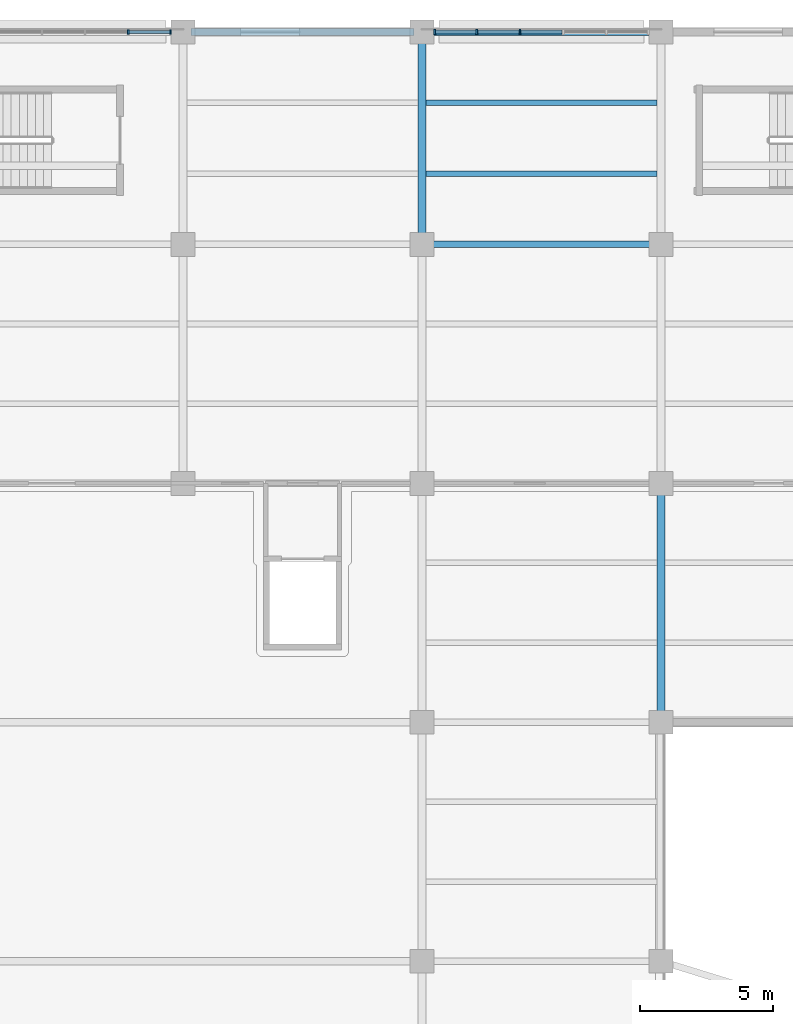
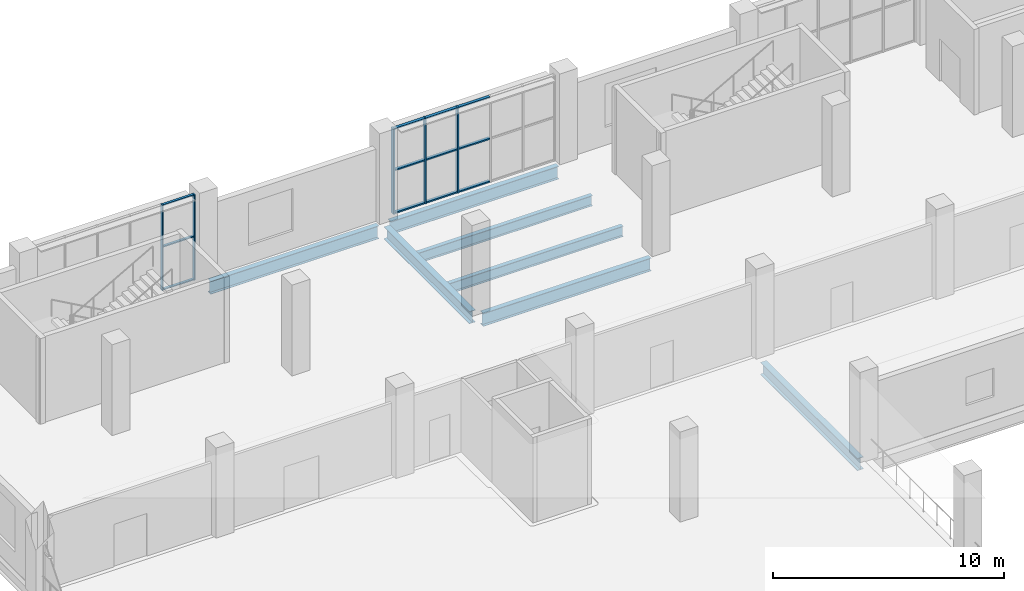
# One storey, part 51 of 183: 17 members, 7 beams, 2 elements without a shape of their own.
"""IFC4 building model written with IfcOpenShell, lengths in metres."""

from ifc_helpers import new_model, si_unit, direction, frame, origin, origin_2d, place, context, subcontext, project, spatial, rectangle, i_section, extrude, material, material_profile, profile_set, type_object, element, aggregate, save


model = new_model("IFC4")

# Units and contexts
model_context = context("Model", 3, precision=1e-05, world=origin(), true_north=direction((0.0, 1.0)))
body_context = subcontext(model_context, "Body", "Model", "MODEL_VIEW")
ifc_project = project(units=[si_unit("LENGTHUNIT", "METRE"), si_unit("AREAUNIT", "SQUARE_METRE"), si_unit("VOLUMEUNIT", "CUBIC_METRE"), si_unit("PLANEANGLEUNIT", "RADIAN"), si_unit("MASSUNIT", "GRAM", prefix="KILO")], contexts=[model_context])

# Site, building, storey
site_placement = place(None, origin())
site = spatial("IfcSite", under=ifc_project, at=site_placement, CompositionType="ELEMENT")
building_placement = place(site_placement, origin())
building = spatial("IfcBuilding", under=site, at=building_placement, Name="Zevraka Park Crest Stadium", CompositionType="ELEMENT")
storey_placement = place(building_placement, frame((0.0, 0.0, 5.39990234375)))
storey = spatial("IfcBuildingStorey", under=building, at=storey_placement, Name="L01", CompositionType="ELEMENT", Elevation=5.39990234375)

# Beams
ifc_material_1 = material(Name="Steel S355", Category="steel")
ifc_material_profile_1 = material_profile(ifc_material_1, i_section(OverallWidth=0.253662109375, OverallDepth=0.68359375, WebThickness=0.012451171875, FlangeThickness=0.01904296875, at=origin_2d()), Name="UKB 686x254x140")
ifc_profile_set_1 = profile_set([ifc_material_profile_1], Name="Steel S355")
beam_type_1 = type_object("IfcBeamType", Name="BG05", PredefinedType="BEAM", material=ifc_profile_set_1)
for number, where, z_axis, x_axis, name in (
    (1, (18.300048828125, 184.0, -0.649658203125), (1.0, 0.0, 0.0), (0.0, 1.0, 0.0), "Wing Girder BG05 L01-34/W"),
    (2, (27.300048828125, 176.0, -0.649658203125), (1.0, 0.0, 0.0), (0.0, 1.0, 0.0), "Wing Girder BG05 L01-45/V"),
    (3, (27.300048828125, 184.0, -0.649658203125), (1.0, 0.0, 0.0), (0.0, 1.0, 0.0), "Wing Girder BG05 L01-45/W"),
):
    element("IfcBeam", number, at=place(storey_placement, frame(where, z_axis=z_axis, x_axis=x_axis)), inside=storey, type_object=beam_type_1, Name=name, PredefinedType="BEAM", context=body_context, shape_type="SweptSolid", body=[
        extrude(i_section(OverallWidth=0.253662109375, OverallDepth=0.68359375, WebThickness=0.012451171875, FlangeThickness=0.01904296875, at=origin_2d()), origin(), (0.0, 0.0, 1.0), 8.39990234375),
    ])
ifc_material_2 = material(Name="Steel S355", Category="steel")
ifc_material_profile_2 = material_profile(ifc_material_2, i_section(OverallWidth=0.300048828125, OverallDepth=0.64990234375, WebThickness=0.01611328125, FlangeThickness=0.031005859375, at=origin_2d()), Name="HEB 650")
ifc_profile_set_2 = profile_set([ifc_material_profile_2], Name="Steel S355")
beam_type_2 = type_object("IfcBeamType", Name="BG07", PredefinedType="BEAM", material=ifc_profile_set_2)
beam_1_placement = place(storey_placement, frame((27.0, 176.300048828125, -0.6328125), z_axis=(0.0, 1.0, 0.0), x_axis=(-1.0, 0.0, 0.0)))
element("IfcBeam", 4, at=beam_1_placement, inside=storey, type_object=beam_type_2, Name="Wing Girder BG07 L01-4/VW", PredefinedType="BEAM", context=body_context, shape_type="SweptSolid", body=[
    extrude(i_section(OverallWidth=0.300048828125, OverallDepth=0.64990234375, WebThickness=0.01611328125, FlangeThickness=0.031005859375, at=origin_2d()), origin(), (0.0, 0.0, 1.0), 7.39990234375),
])
beam_2_placement = place(storey_placement, frame((36.0, 158.300048828125, -0.6328125), z_axis=(0.0, 1.0, 0.0), x_axis=(-1.0, 0.0, 0.0)))
element("IfcBeam", 5, at=beam_2_placement, inside=storey, type_object=beam_type_2, Name="Wing Girder BG07 L01-5/TU", PredefinedType="BEAM", context=body_context, shape_type="SweptSolid", body=[
    extrude(i_section(OverallWidth=0.300048828125, OverallDepth=0.64990234375, WebThickness=0.01611328125, FlangeThickness=0.031005859375, at=origin_2d()), origin(), (0.0, 0.0, 1.0), 8.39990234375),
])

# Curtain wall, members
ifc_material_3 = material(Name="Anodised architectural aluminium and laminated safety glass", Category="aluminium")
curtain_wall_type_1 = type_object("IfcCurtainWallType", Name="CW28", PredefinedType="NOTDEFINED", material=ifc_material_3)
curtain_wall_1_placement = place(storey_placement, origin())
curtain_wall_1 = element("IfcCurtainWall", 6, at=curtain_wall_1_placement, inside=storey, type_object=curtain_wall_type_1, Name="Wing Curtain Wall CW28 L01-NW-N-2", PredefinedType="NOTDEFINED")
ifc_material_4 = material(Name="Anodised architectural aluminium", Category="aluminium")
ifc_material_profile_3 = material_profile(ifc_material_4, rectangle(XDim=0.159912109375, YDim=0.06005859375, at=origin_2d()), Name="ALU MULLION 160x60")
ifc_profile_set_3 = profile_set([ifc_material_profile_3], Name="Anodised architectural aluminium")
member_type_1 = type_object("IfcMemberType", Name="CM01", PredefinedType="MULLION", material=ifc_profile_set_3)
member_1_placement = place(storey_placement, frame((15.93603515625, 184.0, 0.0), z_axis=(0.0, 0.0, 1.0), x_axis=(0.0, 1.0, 0.0)))
member_1 = element("IfcMember", 7, at=member_1_placement, type_object=member_type_1, Name="CW28 mullion 5", PredefinedType="MULLION", context=body_context, shape_type="SweptSolid", body=[
    extrude(rectangle(XDim=0.159912109375, YDim=0.06005859375, at=origin_2d()), origin(), (0.0, 0.0, 1.0), 4.52001953125),
])
member_2_placement = place(storey_placement, frame((17.530029296875, 184.0, 0.0), z_axis=(0.0, 0.0, 1.0), x_axis=(0.0, 1.0, 0.0)))
member_2 = element("IfcMember", 8, at=member_2_placement, type_object=member_type_1, Name="CW28 mullion 6", PredefinedType="MULLION", context=body_context, shape_type="SweptSolid", body=[
    extrude(rectangle(XDim=0.159912109375, YDim=0.06005859375, at=origin_2d()), origin(), (0.0, 0.0, 1.0), 4.52001953125),
])

ifc_material_5 = material(Name="Anodised architectural aluminium and laminated safety glass", Category="aluminium")
curtain_wall_type_2 = type_object("IfcCurtainWallType", Name="CW30", PredefinedType="NOTDEFINED", material=ifc_material_5)
curtain_wall_2_placement = place(storey_placement, origin())
curtain_wall_2 = element("IfcCurtainWall", 9, at=curtain_wall_2_placement, inside=storey, type_object=curtain_wall_type_2, Name="Wing Curtain Wall CW30 L01-NW-N-4", PredefinedType="NOTDEFINED")
ifc_material_6 = material(Name="Anodised architectural aluminium", Category="aluminium")
ifc_material_profile_4 = material_profile(ifc_material_6, rectangle(XDim=0.199951171875, YDim=0.070068359375, at=origin_2d()), Name="ALU MULLION 200x70")
ifc_profile_set_4 = profile_set([ifc_material_profile_4], Name="Anodised architectural aluminium")
member_type_2 = type_object("IfcMemberType", Name="CM03", PredefinedType="MULLION", material=ifc_profile_set_4)
member_3_placement = place(storey_placement, frame((27.47509765625, 184.0, 0.0), z_axis=(0.0, 0.0, 1.0), x_axis=(0.0, 1.0, 0.0)))
member_3 = element("IfcMember", 10, at=member_3_placement, type_object=member_type_2, Name="CW30 mullion 1", PredefinedType="MULLION", context=body_context, shape_type="SweptSolid", body=[
    extrude(rectangle(XDim=0.199951171875, YDim=0.070068359375, at=origin_2d()), origin(), (0.0, 0.0, 1.0), 4.52001953125),
])
member_4_placement = place(storey_placement, frame((29.06396484375, 184.0, 0.0), z_axis=(0.0, 0.0, 1.0), x_axis=(0.0, 1.0, 0.0)))
member_4 = element("IfcMember", 11, at=member_4_placement, type_object=member_type_2, Name="CW30 mullion 2", PredefinedType="MULLION", context=body_context, shape_type="SweptSolid", body=[
    extrude(rectangle(XDim=0.199951171875, YDim=0.070068359375, at=origin_2d()), origin(), (0.0, 0.0, 1.0), 4.52001953125),
])
member_5_placement = place(storey_placement, frame((30.68798828125, 184.0, 0.0), z_axis=(0.0, 0.0, 1.0), x_axis=(0.0, 1.0, 0.0)))
member_5 = element("IfcMember", 12, at=member_5_placement, type_object=member_type_2, Name="CW30 mullion 3", PredefinedType="MULLION", context=body_context, shape_type="SweptSolid", body=[
    extrude(rectangle(XDim=0.199951171875, YDim=0.070068359375, at=origin_2d()), origin(), (0.0, 0.0, 1.0), 4.52001953125),
])

# Member
ifc_material_7 = material(Name="Anodised architectural aluminium", Category="aluminium")
ifc_material_profile_5 = material_profile(ifc_material_7, rectangle(XDim=0.1201171875, YDim=0.06005859375, at=origin_2d()), Name="ALU TRANSOM 120x60")
ifc_profile_set_5 = profile_set([ifc_material_profile_5], Name="Anodised architectural aluminium")
member_type_3 = type_object("IfcMemberType", Name="CT01", PredefinedType="USERDEFINED", material=ifc_profile_set_5)
member_6_placement = place(storey_placement, frame((15.966064453125, 184.0, 0.030029296875), z_axis=(1.0, 0.0, 0.0), x_axis=(0.0, 1.0, 0.0)))
member_6 = element("IfcMember", 13, at=member_6_placement, type_object=member_type_3, Name="CW28 transom 5.1", ObjectType="TRANSOM", PredefinedType="USERDEFINED", context=body_context, shape_type="SweptSolid", body=[
    extrude(rectangle(XDim=0.1201171875, YDim=0.06005859375, at=origin_2d()), origin(), (0.0, 0.0, 1.0), 1.533935546875),
])

member_7_placement = place(storey_placement, frame((15.966064453125, 184.0, 2.300048828125), z_axis=(1.0, 0.0, 0.0), x_axis=(0.0, 1.0, 0.0)))
member_7 = element("IfcMember", 14, at=member_7_placement, type_object=member_type_3, Name="CW28 transom 5.2", ObjectType="TRANSOM", PredefinedType="USERDEFINED", context=body_context, shape_type="SweptSolid", body=[
    extrude(rectangle(XDim=0.1201171875, YDim=0.06005859375, at=origin_2d()), origin(), (0.0, 0.0, 1.0), 1.533935546875),
])

member_8_placement = place(storey_placement, frame((15.966064453125, 184.0, 4.489990234375), z_axis=(1.0, 0.0, 0.0), x_axis=(0.0, 1.0, 0.0)))
member_8 = element("IfcMember", 15, at=member_8_placement, type_object=member_type_3, Name="CW28 transom 5.3", ObjectType="TRANSOM", PredefinedType="USERDEFINED", context=body_context, shape_type="SweptSolid", body=[
    extrude(rectangle(XDim=0.1201171875, YDim=0.06005859375, at=origin_2d()), origin(), (0.0, 0.0, 1.0), 1.533935546875),
])

aggregate(curtain_wall_1, [member_1, member_2, member_6, member_7, member_8])

ifc_material_8 = material(Name="Anodised architectural aluminium", Category="aluminium")
ifc_material_profile_6 = material_profile(ifc_material_8, rectangle(XDim=0.14990234375, YDim=0.070068359375, at=origin_2d()), Name="ALU TRANSOM 150x70")
ifc_profile_set_6 = profile_set([ifc_material_profile_6], Name="Anodised architectural aluminium")
member_type_4 = type_object("IfcMemberType", Name="CT03", PredefinedType="USERDEFINED", material=ifc_profile_set_6)
member_9_placement = place(storey_placement, frame((27.510009765625, 184.0, 0.03515625), z_axis=(1.0, 0.0, 0.0), x_axis=(0.0, 1.0, 0.0)))
member_9 = element("IfcMember", 16, at=member_9_placement, type_object=member_type_4, Name="CW30 transom 1.1", ObjectType="TRANSOM", PredefinedType="USERDEFINED", context=body_context, shape_type="SweptSolid", body=[
    extrude(rectangle(XDim=0.14990234375, YDim=0.070068359375, at=origin_2d()), origin(), (0.0, 0.0, 1.0), 1.51904296875),
])

member_10_placement = place(storey_placement, frame((27.510009765625, 184.0, 2.300048828125), z_axis=(1.0, 0.0, 0.0), x_axis=(0.0, 1.0, 0.0)))
member_10 = element("IfcMember", 17, at=member_10_placement, type_object=member_type_4, Name="CW30 transom 1.2", ObjectType="TRANSOM", PredefinedType="USERDEFINED", context=body_context, shape_type="SweptSolid", body=[
    extrude(rectangle(XDim=0.14990234375, YDim=0.070068359375, at=origin_2d()), origin(), (0.0, 0.0, 1.0), 1.51904296875),
])

member_11_placement = place(storey_placement, frame((27.510009765625, 184.0, 4.485107421875), z_axis=(1.0, 0.0, 0.0), x_axis=(0.0, 1.0, 0.0)))
member_11 = element("IfcMember", 18, at=member_11_placement, type_object=member_type_4, Name="CW30 transom 1.3", ObjectType="TRANSOM", PredefinedType="USERDEFINED", context=body_context, shape_type="SweptSolid", body=[
    extrude(rectangle(XDim=0.14990234375, YDim=0.070068359375, at=origin_2d()), origin(), (0.0, 0.0, 1.0), 1.51904296875),
])

member_12_placement = place(storey_placement, frame((29.09912109375, 184.0, 0.03515625), z_axis=(1.0, 0.0, 0.0), x_axis=(0.0, 1.0, 0.0)))
member_12 = element("IfcMember", 19, at=member_12_placement, type_object=member_type_4, Name="CW30 transom 2.1", ObjectType="TRANSOM", PredefinedType="USERDEFINED", context=body_context, shape_type="SweptSolid", body=[
    extrude(rectangle(XDim=0.14990234375, YDim=0.070068359375, at=origin_2d()), origin(), (0.0, 0.0, 1.0), 1.553955078125),
])

member_13_placement = place(storey_placement, frame((29.09912109375, 184.0, 2.300048828125), z_axis=(1.0, 0.0, 0.0), x_axis=(0.0, 1.0, 0.0)))
member_13 = element("IfcMember", 20, at=member_13_placement, type_object=member_type_4, Name="CW30 transom 2.2", ObjectType="TRANSOM", PredefinedType="USERDEFINED", context=body_context, shape_type="SweptSolid", body=[
    extrude(rectangle(XDim=0.14990234375, YDim=0.070068359375, at=origin_2d()), origin(), (0.0, 0.0, 1.0), 1.553955078125),
])

member_14_placement = place(storey_placement, frame((29.09912109375, 184.0, 4.485107421875), z_axis=(1.0, 0.0, 0.0), x_axis=(0.0, 1.0, 0.0)))
member_14 = element("IfcMember", 21, at=member_14_placement, type_object=member_type_4, Name="CW30 transom 2.3", ObjectType="TRANSOM", PredefinedType="USERDEFINED", context=body_context, shape_type="SweptSolid", body=[
    extrude(rectangle(XDim=0.14990234375, YDim=0.070068359375, at=origin_2d()), origin(), (0.0, 0.0, 1.0), 1.553955078125),
])

member_15_placement = place(storey_placement, frame((30.722900390625, 184.0, 0.03515625), z_axis=(1.0, 0.0, 0.0), x_axis=(0.0, 1.0, 0.0)))
member_15 = element("IfcMember", 22, at=member_15_placement, type_object=member_type_4, Name="CW30 transom 3.1", ObjectType="TRANSOM", PredefinedType="USERDEFINED", context=body_context, shape_type="SweptSolid", body=[
    extrude(rectangle(XDim=0.14990234375, YDim=0.070068359375, at=origin_2d()), origin(), (0.0, 0.0, 1.0), 1.55419921875),
])

member_16_placement = place(storey_placement, frame((30.722900390625, 184.0, 2.300048828125), z_axis=(1.0, 0.0, 0.0), x_axis=(0.0, 1.0, 0.0)))
member_16 = element("IfcMember", 23, at=member_16_placement, type_object=member_type_4, Name="CW30 transom 3.2", ObjectType="TRANSOM", PredefinedType="USERDEFINED", context=body_context, shape_type="SweptSolid", body=[
    extrude(rectangle(XDim=0.14990234375, YDim=0.070068359375, at=origin_2d()), origin(), (0.0, 0.0, 1.0), 1.55419921875),
])

member_17_placement = place(storey_placement, frame((30.722900390625, 184.0, 4.485107421875), z_axis=(1.0, 0.0, 0.0), x_axis=(0.0, 1.0, 0.0)))
member_17 = element("IfcMember", 24, at=member_17_placement, type_object=member_type_4, Name="CW30 transom 3.3", ObjectType="TRANSOM", PredefinedType="USERDEFINED", context=body_context, shape_type="SweptSolid", body=[
    extrude(rectangle(XDim=0.14990234375, YDim=0.070068359375, at=origin_2d()), origin(), (0.0, 0.0, 1.0), 1.55419921875),
])

aggregate(curtain_wall_2, [member_3, member_4, member_5, member_9, member_10, member_11, member_12, member_13, member_14, member_15, member_16, member_17])

# Beams
ifc_material_9 = material(Name="Steel S355", Category="steel")
ifc_material_profile_7 = material_profile(ifc_material_9, i_section(OverallWidth=0.2099609375, OverallDepth=0.550048828125, WebThickness=0.010986328125, FlangeThickness=0.01708984375, at=origin_2d()), Name="IPE 550")
ifc_profile_set_7 = profile_set([ifc_material_profile_7], Name="Steel S355")
beam_type_3 = type_object("IfcBeamType", Name="SJ04", PredefinedType="JOIST", material=ifc_profile_set_7)
for number, where, z_axis, x_axis, name in (
    (25, (27.14501953125, 178.6669921875, -0.5849609375), (1.0, 0.0, 0.0), (0.0, 1.0, 0.0), "Wing Joist SJ04 L01-4/V-1"),
    (26, (27.14501953125, 181.3330078125, -0.5849609375), (1.0, 0.0, 0.0), (0.0, 1.0, 0.0), "Wing Joist SJ04 L01-4/V-2"),
):
    element("IfcBeam", number, at=place(storey_placement, frame(where, z_axis=z_axis, x_axis=x_axis)), inside=storey, type_object=beam_type_3, Name=name, PredefinedType="JOIST", context=body_context, shape_type="SweptSolid", body=[
        extrude(i_section(OverallWidth=0.2099609375, OverallDepth=0.550048828125, WebThickness=0.010986328125, FlangeThickness=0.01708984375, at=origin_2d()), origin(), (0.0, 0.0, 1.0), 8.7099609375),
    ])

save(model, "model.ifc")
